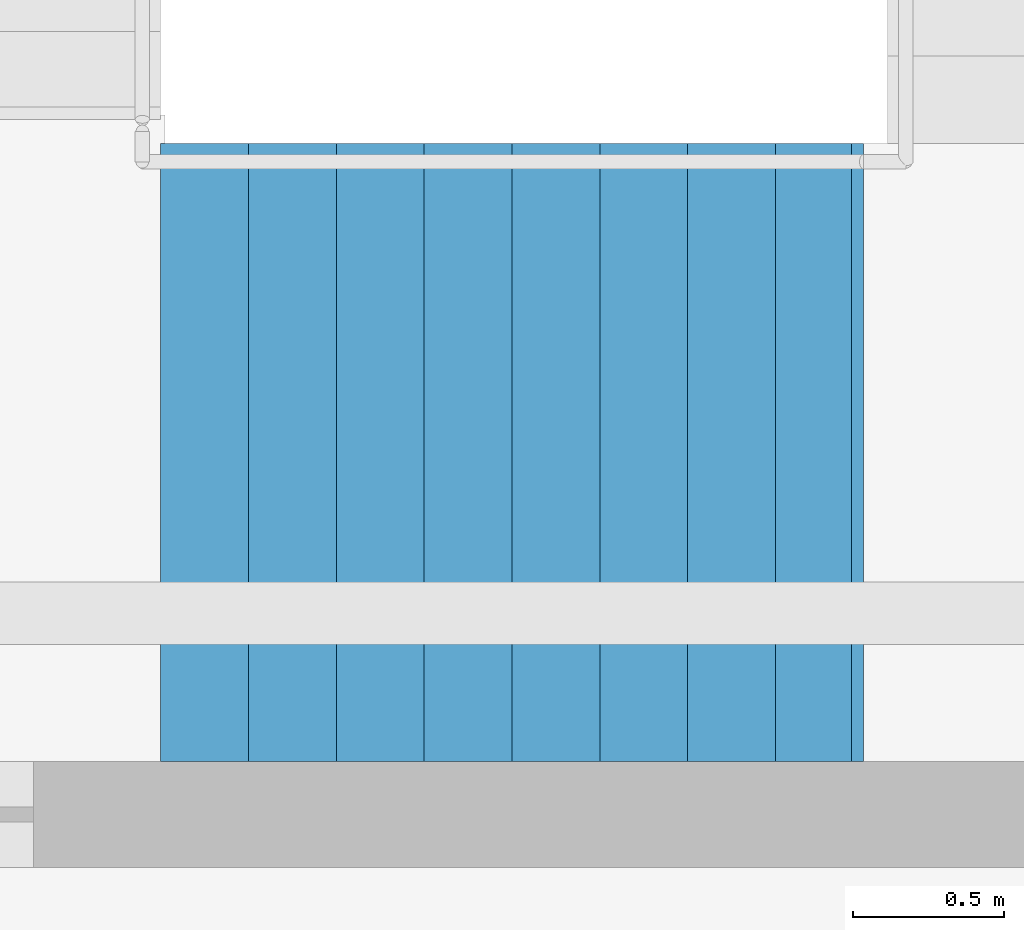
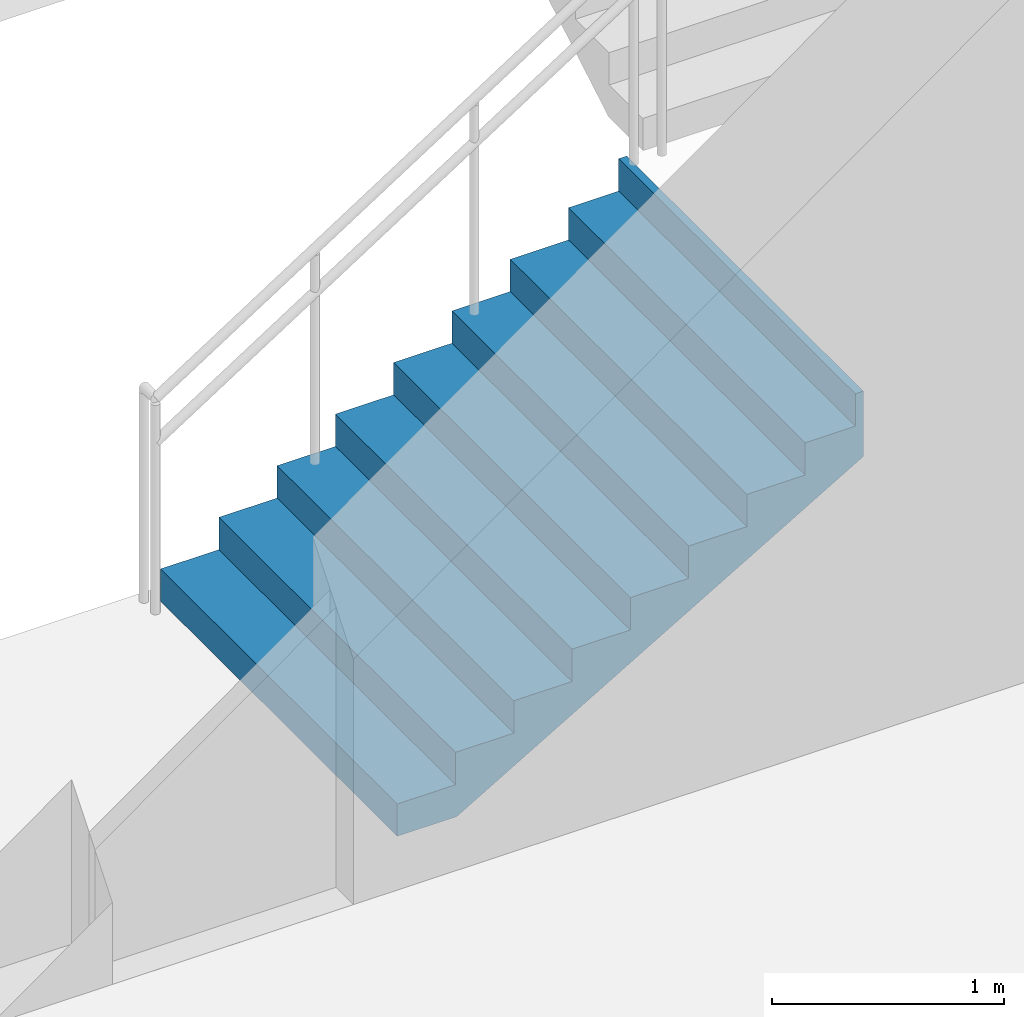
# One storey, part 42 of 58: 1 stair flight, 1 element without a shape of its own.
"""IFC4 building model written with IfcOpenShell, lengths in metres."""

from ifc_helpers import new_model, si_unit, direction, frame, origin, place, context, subcontext, project, spatial, triangles, material, type_object, element, aggregate, save


model = new_model("IFC4")

# Units and contexts
model_context = context("Model", 3, precision=1e-05, world=origin(), true_north=direction((0.0, 1.0)))
body_context = subcontext(model_context, "Body", "Model", "MODEL_VIEW")
ifc_project = project(units=[si_unit("LENGTHUNIT", "METRE"), si_unit("AREAUNIT", "SQUARE_METRE"), si_unit("VOLUMEUNIT", "CUBIC_METRE"), si_unit("PLANEANGLEUNIT", "RADIAN"), si_unit("MASSUNIT", "GRAM", prefix="KILO")], contexts=[model_context])

# Site, building, storey
site_placement = place(None, origin())
site = spatial("IfcSite", under=ifc_project, at=site_placement, CompositionType="ELEMENT")
building_placement = place(site_placement, origin())
building = spatial("IfcBuilding", under=site, at=building_placement, Name="Sillaruma Civic Art Gallery", CompositionType="ELEMENT")
storey_placement = place(building_placement, frame((0.0, 0.0, 22.43994140625)))
storey = spatial("IfcBuildingStorey", under=building, at=storey_placement, Name="L04", CompositionType="ELEMENT", Elevation=22.43994140625)

# Stair, stair flight
ifc_material = material(Name="Concrete H35 (35 MPa)", Category="concrete")
stair_type = type_object("IfcStairType", Name="STR-4F-36", PredefinedType="USERDEFINED", material=ifc_material)
stair_placement = place(storey_placement, origin())
stair = element("IfcStair", 1, at=stair_placement, inside=storey, type_object=stair_type, Name="Protected Exit Stair ST-03 (West Bar South) (L04)", ObjectType="THREE_RETURN_STAIR", PredefinedType="USERDEFINED")
stair_flight_type = type_object("IfcStairFlightType", Name="SFL-STR-9", PredefinedType="STRAIGHT", material=ifc_material)
stair_flight_placement = place(storey_placement, frame((64.800048828125, 32.429931640625, 0.0), z_axis=(0.0, 0.0, 1.0), x_axis=(1.0, 0.0, 0.0)))
stair_flight = element("IfcStairFlight", 2, at=stair_flight_placement, type_object=stair_flight_type, Name="ST-03 flight 1", NumberOfRisers=9, NumberOfTreads=8, PredefinedType="STRAIGHT", RiserHeight=0.17, TreadLength=0.29, context=body_context, shape_type="Tessellation", body=[
    triangles([(0.0, -1.02001953125, 0.0), (0.29, -1.02001953125, 0.0), (0.296482, -1.02001953125, 0.0), (0.58, -1.02001953125, 0.1662), (0.87, -1.02001953125, 0.3362), (1.16, -1.02001953125, 0.5062), (1.45, -1.02001953125, 0.6762), (1.74, -1.02001953125, 0.8462), (2.03, -1.02001953125, 1.0162), (2.280068, -1.02001953125, 1.162792), (2.320068, -1.02001953125, 1.18624), (2.320068, -1.02001953125, 1.53), (2.280068, -1.02001953125, 1.53), (2.280068, -1.02001953125, 1.36), (2.03, -1.02001953125, 1.36), (2.03, -1.02001953125, 1.19), (1.74, -1.02001953125, 1.19), (1.74, -1.02001953125, 1.02), (1.45, -1.02001953125, 1.02), (1.45, -1.02001953125, 0.85), (1.16, -1.02001953125, 0.85), (1.16, -1.02001953125, 0.68), (0.87, -1.02001953125, 0.68), (0.87, -1.02001953125, 0.51), (0.58, -1.02001953125, 0.51), (0.58, -1.02001953125, 0.34), (0.296482, -1.02001953125, 0.34), (0.29, -1.02001953125, 0.34), (0.29, -1.02001953125, 0.17), (0.0, -1.02001953125, 0.17), (0.0, -0.05, 0.0), (0.29, -0.05, 0.0), (0.296482, -0.05, 0.0), (0.58, -0.05, 0.1662), (0.87, -0.05, 0.3362), (1.16, -0.05, 0.5062), (1.45, -0.05, 0.6762), (1.74, -0.05, 0.8462), (2.03, -0.05, 1.0162), (2.280068, -0.05, 1.162792), (2.320068, -0.05, 1.18624), (2.320068, -0.05, 1.53), (2.280068, -0.05, 1.53), (2.280068, -0.05, 1.36), (2.03, -0.05, 1.36), (2.03, -0.05, 1.19), (1.74, -0.05, 1.19), (1.74, -0.05, 1.02), (1.45, -0.05, 1.02), (1.45, -0.05, 0.85), (1.16, -0.05, 0.85), (1.16, -0.05, 0.68), (0.87, -0.05, 0.68), (0.87, -0.05, 0.51), (0.58, -0.05, 0.51), (0.58, -0.05, 0.34), (0.296482, -0.05, 0.34), (0.29, -0.05, 0.34), (0.29, -0.05, 0.17), (0.0, -0.05, 0.17), (0.0, -0.0375, 0.0), (0.29, -0.0375, 0.0), (0.296482, -0.0375, 0.0), (0.58, -0.0375, 0.1662), (0.87, -0.0375, 0.3362), (1.16, -0.0375, 0.5062), (1.45, -0.0375, 0.6762), (1.74, -0.0375, 0.8462), (2.03, -0.0375, 1.0162), (2.280068, -0.0375, 1.162792), (2.320068, -0.0375, 1.18624), (2.320068, -0.0375, 1.53), (2.280068, -0.0375, 1.53), (2.280068, -0.0375, 1.36), (2.03, -0.0375, 1.36), (2.03, -0.0375, 1.19), (1.74, -0.0375, 1.19), (1.74, -0.0375, 1.02), (1.45, -0.0375, 1.02), (1.45, -0.0375, 0.85), (1.16, -0.0375, 0.85), (1.16, -0.0375, 0.68), (0.87, -0.0375, 0.68), (0.87, -0.0375, 0.51), (0.58, -0.0375, 0.51), (0.58, -0.0375, 0.34), (0.296482, -0.0375, 0.34), (0.29, -0.0375, 0.34), (0.29, -0.0375, 0.17), (0.0, -0.0375, 0.17), (0.0, -0.025, 0.0), (0.29, -0.025, 0.0), (0.296482, -0.025, 0.0), (0.58, -0.025, 0.1662), (0.87, -0.025, 0.3362), (1.16, -0.025, 0.5062), (1.45, -0.025, 0.6762), (1.74, -0.025, 0.8462), (2.03, -0.025, 1.0162), (2.280068, -0.025, 1.162792), (2.320068, -0.025, 1.18624), (2.320068, -0.025, 1.53), (2.280068, -0.025, 1.53), (2.280068, -0.025, 1.36), (2.03, -0.025, 1.36), (2.03, -0.025, 1.19), (1.74, -0.025, 1.19), (1.74, -0.025, 1.02), (1.45, -0.025, 1.02), (1.45, -0.025, 0.85), (1.16, -0.025, 0.85), (1.16, -0.025, 0.68), (0.87, -0.025, 0.68), (0.87, -0.025, 0.51), (0.58, -0.025, 0.51), (0.58, -0.025, 0.34), (0.296482, -0.025, 0.34), (0.29, -0.025, 0.34), (0.29, -0.025, 0.17), (0.0, -0.025, 0.17), (0.0, -0.0125, 0.0), (0.29, -0.0125, 0.0), (0.296482, -0.0125, 0.0), (0.58, -0.0125, 0.1662), (0.87, -0.0125, 0.3362), (1.16, -0.0125, 0.5062), (1.45, -0.0125, 0.6762), (1.74, -0.0125, 0.8462), (2.03, -0.0125, 1.0162), (2.280068, -0.0125, 1.162792), (2.320068, -0.0125, 1.18624), (2.320068, -0.0125, 1.53), (2.280068, -0.0125, 1.53), (2.280068, -0.0125, 1.36), (2.03, -0.0125, 1.36), (2.03, -0.0125, 1.19), (1.74, -0.0125, 1.19), (1.74, -0.0125, 1.02), (1.45, -0.0125, 1.02), (1.45, -0.0125, 0.85), (1.16, -0.0125, 0.85), (1.16, -0.0125, 0.68), (0.87, -0.0125, 0.68), (0.87, -0.0125, 0.51), (0.58, -0.0125, 0.51), (0.58, -0.0125, 0.34), (0.296482, -0.0125, 0.34), (0.29, -0.0125, 0.34), (0.29, -0.0125, 0.17), (0.0, -0.0125, 0.17), (0.0, 0.0, 0.0), (0.29, 0.0, 0.0), (0.296482, 0.0, 0.0), (0.58, 0.0, 0.1662), (0.87, 0.0, 0.3362), (1.16, 0.0, 0.5062), (1.45, 0.0, 0.6762), (1.74, 0.0, 0.8462), (2.03, 0.0, 1.0162), (2.280068, 0.0, 1.162792), (2.320068, 0.0, 1.18624), (2.320068, 0.0, 1.53), (2.280068, 0.0, 1.53), (2.280068, 0.0, 1.36), (2.03, 0.0, 1.36), (2.03, 0.0, 1.19), (1.74, 0.0, 1.19), (1.74, 0.0, 1.02), (1.45, 0.0, 1.02), (1.45, 0.0, 0.85), (1.16, 0.0, 0.85), (1.16, 0.0, 0.68), (0.87, 0.0, 0.68), (0.87, 0.0, 0.51), (0.58, 0.0, 0.51), (0.58, 0.0, 0.34), (0.296482, 0.0, 0.34), (0.29, 0.0, 0.34), (0.29, 0.0, 0.17), (0.0, 0.0, 0.17), (0.0, 0.0125, 0.0), (0.29, 0.0125, 0.0), (0.296482, 0.0125, 0.0), (0.58, 0.0125, 0.1662), (0.87, 0.0125, 0.3362), (1.16, 0.0125, 0.5062), (1.45, 0.0125, 0.6762), (1.74, 0.0125, 0.8462), (2.03, 0.0125, 1.0162), (2.280068, 0.0125, 1.162792), (2.320068, 0.0125, 1.18624), (2.320068, 0.0125, 1.53), (2.280068, 0.0125, 1.53), (2.280068, 0.0125, 1.36), (2.03, 0.0125, 1.36), (2.03, 0.0125, 1.19), (1.74, 0.0125, 1.19), (1.74, 0.0125, 1.02), (1.45, 0.0125, 1.02), (1.45, 0.0125, 0.85), (1.16, 0.0125, 0.85), (1.16, 0.0125, 0.68), (0.87, 0.0125, 0.68), (0.87, 0.0125, 0.51), (0.58, 0.0125, 0.51), (0.58, 0.0125, 0.34), (0.296482, 0.0125, 0.34), (0.29, 0.0125, 0.34), (0.29, 0.0125, 0.17), (0.0, 0.0125, 0.17), (0.0, 0.025, 0.0), (0.29, 0.025, 0.0), (0.296482, 0.025, 0.0), (0.58, 0.025, 0.1662), (0.87, 0.025, 0.3362), (1.16, 0.025, 0.5062), (1.45, 0.025, 0.6762), (1.74, 0.025, 0.8462), (2.03, 0.025, 1.0162), (2.280068, 0.025, 1.162792), (2.320068, 0.025, 1.18624), (2.320068, 0.025, 1.53), (2.280068, 0.025, 1.53), (2.280068, 0.025, 1.36), (2.03, 0.025, 1.36), (2.03, 0.025, 1.19), (1.74, 0.025, 1.19), (1.74, 0.025, 1.02), (1.45, 0.025, 1.02), (1.45, 0.025, 0.85), (1.16, 0.025, 0.85), (1.16, 0.025, 0.68), (0.87, 0.025, 0.68), (0.87, 0.025, 0.51), (0.58, 0.025, 0.51), (0.58, 0.025, 0.34), (0.296482, 0.025, 0.34), (0.29, 0.025, 0.34), (0.29, 0.025, 0.17), (0.0, 0.025, 0.17), (0.0, 0.0375, 0.0), (0.29, 0.0375, 0.0), (0.296482, 0.0375, 0.0), (0.58, 0.0375, 0.1662), (0.87, 0.0375, 0.3362), (1.16, 0.0375, 0.5062), (1.45, 0.0375, 0.6762), (1.74, 0.0375, 0.8462), (2.03, 0.0375, 1.0162), (2.280068, 0.0375, 1.162792), (2.320068, 0.0375, 1.18624), (2.320068, 0.0375, 1.53), (2.280068, 0.0375, 1.53), (2.280068, 0.0375, 1.36), (2.03, 0.0375, 1.36), (2.03, 0.0375, 1.19), (1.74, 0.0375, 1.19), (1.74, 0.0375, 1.02), (1.45, 0.0375, 1.02), (1.45, 0.0375, 0.85), (1.16, 0.0375, 0.85), (1.16, 0.0375, 0.68), (0.87, 0.0375, 0.68), (0.87, 0.0375, 0.51), (0.58, 0.0375, 0.51), (0.58, 0.0375, 0.34), (0.296482, 0.0375, 0.34), (0.29, 0.0375, 0.34), (0.29, 0.0375, 0.17), (0.0, 0.0375, 0.17), (0.0, 0.05, 0.0), (0.29, 0.05, 0.0), (0.296482, 0.05, 0.0), (0.58, 0.05, 0.1662), (0.87, 0.05, 0.3362), (1.16, 0.05, 0.5062), (1.45, 0.05, 0.6762), (1.74, 0.05, 0.8462), (2.03, 0.05, 1.0162), (2.280068, 0.05, 1.162792), (2.320068, 0.05, 1.18624), (2.320068, 0.05, 1.53), (2.280068, 0.05, 1.53), (2.280068, 0.05, 1.36), (2.03, 0.05, 1.36), (2.03, 0.05, 1.19), (1.74, 0.05, 1.19), (1.74, 0.05, 1.02), (1.45, 0.05, 1.02), (1.45, 0.05, 0.85), (1.16, 0.05, 0.85), (1.16, 0.05, 0.68), (0.87, 0.05, 0.68), (0.87, 0.05, 0.51), (0.58, 0.05, 0.51), (0.58, 0.05, 0.34), (0.296482, 0.05, 0.34), (0.29, 0.05, 0.34), (0.29, 0.05, 0.17), (0.0, 0.05, 0.17), (0.0, 1.02001953125, 0.0), (0.29, 1.02001953125, 0.0), (0.296482, 1.02001953125, 0.0), (0.58, 1.02001953125, 0.1662), (0.87, 1.02001953125, 0.3362), (1.16, 1.02001953125, 0.5062), (1.45, 1.02001953125, 0.6762), (1.74, 1.02001953125, 0.8462), (2.03, 1.02001953125, 1.0162), (2.280068, 1.02001953125, 1.162792), (2.320068, 1.02001953125, 1.18624), (2.320068, 1.02001953125, 1.53), (2.280068, 1.02001953125, 1.53), (2.280068, 1.02001953125, 1.36), (2.03, 1.02001953125, 1.36), (2.03, 1.02001953125, 1.19), (1.74, 1.02001953125, 1.19), (1.74, 1.02001953125, 1.02), (1.45, 1.02001953125, 1.02), (1.45, 1.02001953125, 0.85), (1.16, 1.02001953125, 0.85), (1.16, 1.02001953125, 0.68), (0.87, 1.02001953125, 0.68), (0.87, 1.02001953125, 0.51), (0.58, 1.02001953125, 0.51), (0.58, 1.02001953125, 0.34), (0.296482, 1.02001953125, 0.34), (0.29, 1.02001953125, 0.34), (0.29, 1.02001953125, 0.17), (0.0, 1.02001953125, 0.17)], [[1, 2, 29], [1, 29, 30], [2, 3, 27], [2, 27, 29], [29, 27, 28], [3, 4, 26], [3, 26, 27], [4, 5, 24], [4, 24, 26], [26, 24, 25], [5, 6, 22], [5, 22, 24], [24, 22, 23], [6, 7, 20], [6, 20, 22], [22, 20, 21], [7, 8, 18], [7, 18, 20], [20, 18, 19], [8, 9, 16], [8, 16, 18], [18, 16, 17], [9, 10, 14], [9, 14, 16], [16, 14, 15], [10, 11, 12], [10, 12, 14], [14, 12, 13], [329, 302, 301], [330, 329, 301], [327, 303, 302], [329, 327, 302], [328, 327, 329], [326, 304, 303], [327, 326, 303], [324, 305, 304], [326, 324, 304], [325, 324, 326], [322, 306, 305], [324, 322, 305], [323, 322, 324], [320, 307, 306], [322, 320, 306], [321, 320, 322], [318, 308, 307], [320, 318, 307], [319, 318, 320], [316, 309, 308], [318, 316, 308], [317, 316, 318], [314, 310, 309], [316, 314, 309], [315, 314, 316], [312, 311, 310], [314, 312, 310], [313, 312, 314], [2, 1, 31], [2, 31, 32], [3, 2, 32], [3, 32, 33], [4, 3, 33], [4, 33, 34], [5, 4, 34], [5, 34, 35], [6, 5, 35], [6, 35, 36], [7, 6, 36], [7, 36, 37], [8, 7, 37], [8, 37, 38], [9, 8, 38], [9, 38, 39], [10, 9, 39], [10, 39, 40], [11, 10, 40], [11, 40, 41], [12, 11, 41], [12, 41, 42], [13, 12, 42], [13, 42, 43], [14, 13, 43], [14, 43, 44], [15, 14, 44], [15, 44, 45], [16, 15, 45], [16, 45, 46], [17, 16, 46], [17, 46, 47], [18, 17, 47], [18, 47, 48], [19, 18, 48], [19, 48, 49], [20, 19, 49], [20, 49, 50], [21, 20, 50], [21, 50, 51], [22, 21, 51], [22, 51, 52], [23, 22, 52], [23, 52, 53], [24, 23, 53], [24, 53, 54], [25, 24, 54], [25, 54, 55], [26, 25, 55], [26, 55, 56], [27, 26, 56], [27, 56, 57], [28, 27, 57], [28, 57, 58], [29, 28, 58], [29, 58, 59], [30, 29, 59], [30, 59, 60], [1, 30, 60], [1, 60, 31], [32, 31, 61], [32, 61, 62], [33, 32, 62], [33, 62, 63], [34, 33, 63], [34, 63, 64], [35, 34, 64], [35, 64, 65], [36, 35, 65], [36, 65, 66], [37, 36, 66], [37, 66, 67], [38, 37, 67], [38, 67, 68], [39, 38, 68], [39, 68, 69], [40, 39, 69], [40, 69, 70], [41, 40, 70], [41, 70, 71], [42, 41, 71], [42, 71, 72], [43, 42, 72], [43, 72, 73], [44, 43, 73], [44, 73, 74], [45, 44, 74], [45, 74, 75], [46, 45, 75], [46, 75, 76], [47, 46, 76], [47, 76, 77], [48, 47, 77], [48, 77, 78], [49, 48, 78], [49, 78, 79], [50, 49, 79], [50, 79, 80], [51, 50, 80], [51, 80, 81], [52, 51, 81], [52, 81, 82], [53, 52, 82], [53, 82, 83], [54, 53, 83], [54, 83, 84], [55, 54, 84], [55, 84, 85], [56, 55, 85], [56, 85, 86], [57, 56, 86], [57, 86, 87], [58, 57, 87], [58, 87, 88], [59, 58, 88], [59, 88, 89], [60, 59, 89], [60, 89, 90], [31, 60, 90], [31, 90, 61], [62, 61, 91], [62, 91, 92], [63, 62, 92], [63, 92, 93], [64, 63, 93], [64, 93, 94], [65, 64, 94], [65, 94, 95], [66, 65, 95], [66, 95, 96], [67, 66, 96], [67, 96, 97], [68, 67, 97], [68, 97, 98], [69, 68, 98], [69, 98, 99], [70, 69, 99], [70, 99, 100], [71, 70, 100], [71, 100, 101], [72, 71, 101], [72, 101, 102], [73, 72, 102], [73, 102, 103], [74, 73, 103], [74, 103, 104], [75, 74, 104], [75, 104, 105], [76, 75, 105], [76, 105, 106], [77, 76, 106], [77, 106, 107], [78, 77, 107], [78, 107, 108], [79, 78, 108], [79, 108, 109], [80, 79, 109], [80, 109, 110], [81, 80, 110], [81, 110, 111], [82, 81, 111], [82, 111, 112], [83, 82, 112], [83, 112, 113], [84, 83, 113], [84, 113, 114], [85, 84, 114], [85, 114, 115], [86, 85, 115], [86, 115, 116], [87, 86, 116], [87, 116, 117], [88, 87, 117], [88, 117, 118], [89, 88, 118], [89, 118, 119], [90, 89, 119], [90, 119, 120], [61, 90, 120], [61, 120, 91], [92, 91, 121], [92, 121, 122], [93, 92, 122], [93, 122, 123], [94, 93, 123], [94, 123, 124], [95, 94, 124], [95, 124, 125], [96, 95, 125], [96, 125, 126], [97, 96, 126], [97, 126, 127], [98, 97, 127], [98, 127, 128], [99, 98, 128], [99, 128, 129], [100, 99, 129], [100, 129, 130], [101, 100, 130], [101, 130, 131], [102, 101, 131], [102, 131, 132], [103, 102, 132], [103, 132, 133], [104, 103, 133], [104, 133, 134], [105, 104, 134], [105, 134, 135], [106, 105, 135], [106, 135, 136], [107, 106, 136], [107, 136, 137], [108, 107, 137], [108, 137, 138], [109, 108, 138], [109, 138, 139], [110, 109, 139], [110, 139, 140], [111, 110, 140], [111, 140, 141], [112, 111, 141], [112, 141, 142], [113, 112, 142], [113, 142, 143], [114, 113, 143], [114, 143, 144], [115, 114, 144], [115, 144, 145], [116, 115, 145], [116, 145, 146], [117, 116, 146], [117, 146, 147], [118, 117, 147], [118, 147, 148], [119, 118, 148], [119, 148, 149], [120, 119, 149], [120, 149, 150], [91, 120, 150], [91, 150, 121], [122, 121, 151], [122, 151, 152], [123, 122, 152], [123, 152, 153], [124, 123, 153], [124, 153, 154], [125, 124, 154], [125, 154, 155], [126, 125, 155], [126, 155, 156], [127, 126, 156], [127, 156, 157], [128, 127, 157], [128, 157, 158], [129, 128, 158], [129, 158, 159], [130, 129, 159], [130, 159, 160], [131, 130, 160], [131, 160, 161], [132, 131, 161], [132, 161, 162], [133, 132, 162], [133, 162, 163], [134, 133, 163], [134, 163, 164], [135, 134, 164], [135, 164, 165], [136, 135, 165], [136, 165, 166], [137, 136, 166], [137, 166, 167], [138, 137, 167], [138, 167, 168], [139, 138, 168], [139, 168, 169], [140, 139, 169], [140, 169, 170], [141, 140, 170], [141, 170, 171], [142, 141, 171], [142, 171, 172], [143, 142, 172], [143, 172, 173], [144, 143, 173], [144, 173, 174], [145, 144, 174], [145, 174, 175], [146, 145, 175], [146, 175, 176], [147, 146, 176], [147, 176, 177], [148, 147, 177], [148, 177, 178], [149, 148, 178], [149, 178, 179], [150, 149, 179], [150, 179, 180], [121, 150, 180], [121, 180, 151], [152, 151, 181], [152, 181, 182], [153, 152, 182], [153, 182, 183], [154, 153, 183], [154, 183, 184], [155, 154, 184], [155, 184, 185], [156, 155, 185], [156, 185, 186], [157, 156, 186], [157, 186, 187], [158, 157, 187], [158, 187, 188], [159, 158, 188], [159, 188, 189], [160, 159, 189], [160, 189, 190], [161, 160, 190], [161, 190, 191], [162, 161, 191], [162, 191, 192], [163, 162, 192], [163, 192, 193], [164, 163, 193], [164, 193, 194], [165, 164, 194], [165, 194, 195], [166, 165, 195], [166, 195, 196], [167, 166, 196], [167, 196, 197], [168, 167, 197], [168, 197, 198], [169, 168, 198], [169, 198, 199], [170, 169, 199], [170, 199, 200], [171, 170, 200], [171, 200, 201], [172, 171, 201], [172, 201, 202], [173, 172, 202], [173, 202, 203], [174, 173, 203], [174, 203, 204], [175, 174, 204], [175, 204, 205], [176, 175, 205], [176, 205, 206], [177, 176, 206], [177, 206, 207], [178, 177, 207], [178, 207, 208], [179, 178, 208], [179, 208, 209], [180, 179, 209], [180, 209, 210], [151, 180, 210], [151, 210, 181], [182, 181, 211], [182, 211, 212], [183, 182, 212], [183, 212, 213], [184, 183, 213], [184, 213, 214], [185, 184, 214], [185, 214, 215], [186, 185, 215], [186, 215, 216], [187, 186, 216], [187, 216, 217], [188, 187, 217], [188, 217, 218], [189, 188, 218], [189, 218, 219], [190, 189, 219], [190, 219, 220], [191, 190, 220], [191, 220, 221], [192, 191, 221], [192, 221, 222], [193, 192, 222], [193, 222, 223], [194, 193, 223], [194, 223, 224], [195, 194, 224], [195, 224, 225], [196, 195, 225], [196, 225, 226], [197, 196, 226], [197, 226, 227], [198, 197, 227], [198, 227, 228], [199, 198, 228], [199, 228, 229], [200, 199, 229], [200, 229, 230], [201, 200, 230], [201, 230, 231], [202, 201, 231], [202, 231, 232], [203, 202, 232], [203, 232, 233], [204, 203, 233], [204, 233, 234], [205, 204, 234], [205, 234, 235], [206, 205, 235], [206, 235, 236], [207, 206, 236], [207, 236, 237], [208, 207, 237], [208, 237, 238], [209, 208, 238], [209, 238, 239], [210, 209, 239], [210, 239, 240], [181, 210, 240], [181, 240, 211], [212, 211, 241], [212, 241, 242], [213, 212, 242], [213, 242, 243], [214, 213, 243], [214, 243, 244], [215, 214, 244], [215, 244, 245], [216, 215, 245], [216, 245, 246], [217, 216, 246], [217, 246, 247], [218, 217, 247], [218, 247, 248], [219, 218, 248], [219, 248, 249], [220, 219, 249], [220, 249, 250], [221, 220, 250], [221, 250, 251], [222, 221, 251], [222, 251, 252], [223, 222, 252], [223, 252, 253], [224, 223, 253], [224, 253, 254], [225, 224, 254], [225, 254, 255], [226, 225, 255], [226, 255, 256], [227, 226, 256], [227, 256, 257], [228, 227, 257], [228, 257, 258], [229, 228, 258], [229, 258, 259], [230, 229, 259], [230, 259, 260], [231, 230, 260], [231, 260, 261], [232, 231, 261], [232, 261, 262], [233, 232, 262], [233, 262, 263], [234, 233, 263], [234, 263, 264], [235, 234, 264], [235, 264, 265], [236, 235, 265], [236, 265, 266], [237, 236, 266], [237, 266, 267], [238, 237, 267], [238, 267, 268], [239, 238, 268], [239, 268, 269], [240, 239, 269], [240, 269, 270], [211, 240, 270], [211, 270, 241], [242, 241, 271], [242, 271, 272], [243, 242, 272], [243, 272, 273], [244, 243, 273], [244, 273, 274], [245, 244, 274], [245, 274, 275], [246, 245, 275], [246, 275, 276], [247, 246, 276], [247, 276, 277], [248, 247, 277], [248, 277, 278], [249, 248, 278], [249, 278, 279], [250, 249, 279], [250, 279, 280], [251, 250, 280], [251, 280, 281], [252, 251, 281], [252, 281, 282], [253, 252, 282], [253, 282, 283], [254, 253, 283], [254, 283, 284], [255, 254, 284], [255, 284, 285], [256, 255, 285], [256, 285, 286], [257, 256, 286], [257, 286, 287], [258, 257, 287], [258, 287, 288], [259, 258, 288], [259, 288, 289], [260, 259, 289], [260, 289, 290], [261, 260, 290], [261, 290, 291], [262, 261, 291], [262, 291, 292], [263, 262, 292], [263, 292, 293], [264, 263, 293], [264, 293, 294], [265, 264, 294], [265, 294, 295], [266, 265, 295], [266, 295, 296], [267, 266, 296], [267, 296, 297], [268, 267, 297], [268, 297, 298], [269, 268, 298], [269, 298, 299], [270, 269, 299], [270, 299, 300], [241, 270, 300], [241, 300, 271], [272, 271, 301], [272, 301, 302], [273, 272, 302], [273, 302, 303], [274, 273, 303], [274, 303, 304], [275, 274, 304], [275, 304, 305], [276, 275, 305], [276, 305, 306], [277, 276, 306], [277, 306, 307], [278, 277, 307], [278, 307, 308], [279, 278, 308], [279, 308, 309], [280, 279, 309], [280, 309, 310], [281, 280, 310], [281, 310, 311], [282, 281, 311], [282, 311, 312], [283, 282, 312], [283, 312, 313], [284, 283, 313], [284, 313, 314], [285, 284, 314], [285, 314, 315], [286, 285, 315], [286, 315, 316], [287, 286, 316], [287, 316, 317], [288, 287, 317], [288, 317, 318], [289, 288, 318], [289, 318, 319], [290, 289, 319], [290, 319, 320], [291, 290, 320], [291, 320, 321], [292, 291, 321], [292, 321, 322], [293, 292, 322], [293, 322, 323], [294, 293, 323], [294, 323, 324], [295, 294, 324], [295, 324, 325], [296, 295, 325], [296, 325, 326], [297, 296, 326], [297, 326, 327], [298, 297, 327], [298, 327, 328], [299, 298, 328], [299, 328, 329], [300, 299, 329], [300, 329, 330], [271, 300, 330], [271, 330, 301]], closed=True),
])
aggregate(stair, [stair_flight])

save(model, "model.ifc")
